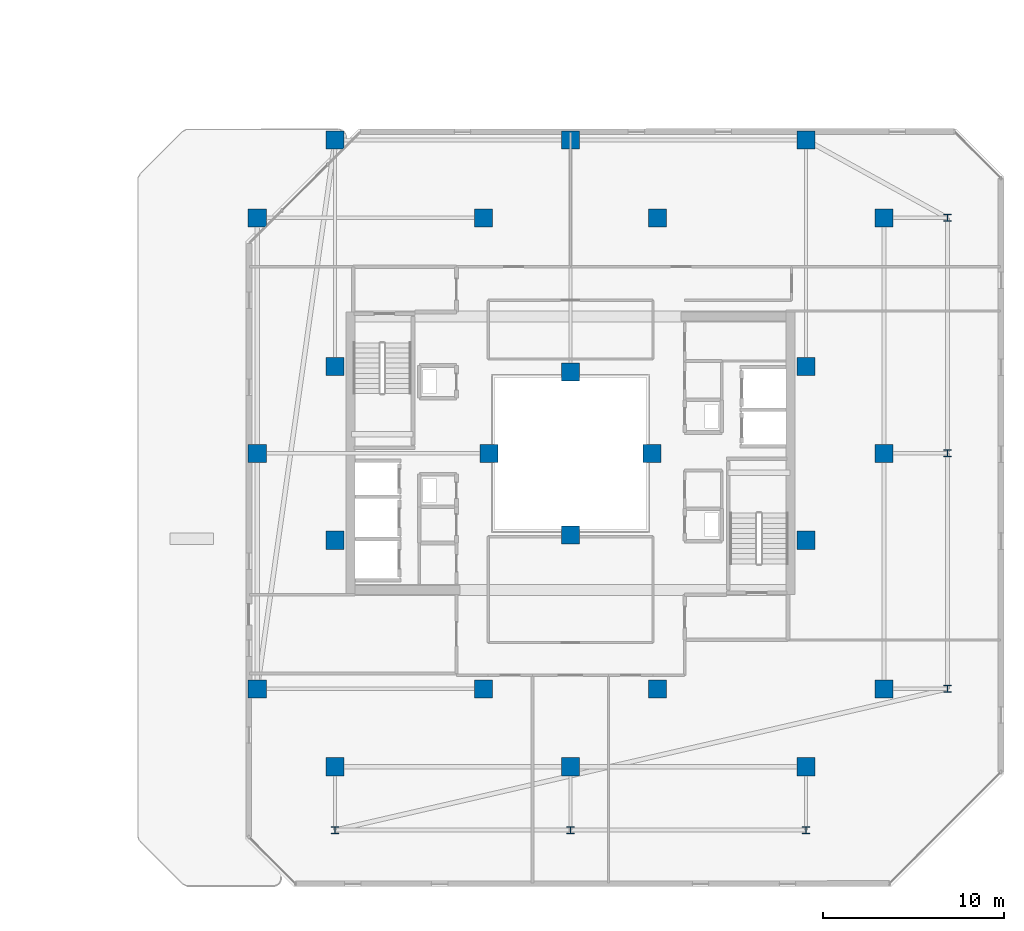
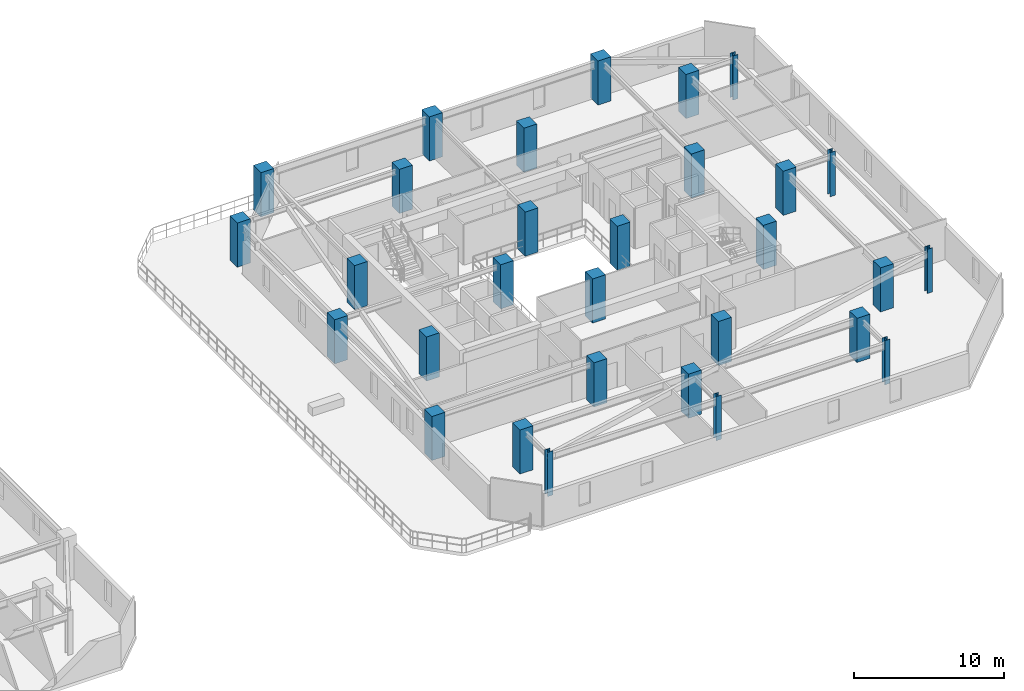
# One storey, part 2 of 29: 30 columns.
"""IFC4 building model written with IfcOpenShell, lengths in metres."""

from ifc_helpers import new_model, si_unit, direction, frame, origin, origin_2d, place, context, subcontext, project, spatial, rectangle, i_section, extrude, material, material_profile, profile_set, type_object, element, save


model = new_model("IFC4")

# Units and contexts
model_context = context("Model", 3, precision=1e-05, world=origin(), true_north=direction((0.0, 1.0)))
body_context = subcontext(model_context, "Body", "Model", "MODEL_VIEW")
ifc_project = project(units=[si_unit("LENGTHUNIT", "METRE"), si_unit("AREAUNIT", "SQUARE_METRE"), si_unit("VOLUMEUNIT", "CUBIC_METRE"), si_unit("PLANEANGLEUNIT", "RADIAN"), si_unit("MASSUNIT", "GRAM", prefix="KILO")], contexts=[model_context])

# Site, building, storey
site_placement = place(None, origin())
site = spatial("IfcSite", under=ifc_project, at=site_placement, CompositionType="ELEMENT")
building_placement = place(site_placement, origin())
building = spatial("IfcBuilding", under=site, at=building_placement, Name="Thornwick Lancets Civic Towers", CompositionType="ELEMENT")
storey_placement = place(building_placement, frame((0.0, 0.0, 229.5)))
storey = spatial("IfcBuildingStorey", under=building, at=storey_placement, Name="L61", CompositionType="ELEMENT", Elevation=229.5)

# Columns
ifc_material_1 = material(Name="Concrete C50/60", Category="concrete")
ifc_material_profile_1 = material_profile(ifc_material_1, rectangle(XDim=1.0, YDim=1.0, at=origin_2d()), Name="RC 1000x1000")
ifc_profile_set_1 = profile_set([ifc_material_profile_1], Name="Concrete C50/60")
column_type_1 = type_object("IfcColumnType", Name="COL_RC_1000", PredefinedType="COLUMN", material=ifc_profile_set_1)
for number, where, z_axis, x_axis, name in (
    (1, (105.800048828125, 14.0, 0.0), (0.0, 0.0, 1.0), (1.0, 0.0, 0.0), "L61 Spine Mega-Column B01"),
    (2, (105.800048828125, 27.0, 0.0), (0.0, 0.0, 1.0), (1.0, 0.0, 0.0), "L61 Spine Mega-Column B02"),
    (3, (105.800048828125, 40.0, 0.0), (0.0, 0.0, 1.0), (1.0, 0.0, 0.0), "L61 Spine Mega-Column B03"),
    (4, (101.5, 44.300048828125, 0.0), (0.0, 0.0, 1.0), (1.0, 0.0, 0.0), "L61 Spine Mega-Column B04"),
    (5, (88.5, 44.300048828125, 0.0), (0.0, 0.0, 1.0), (1.0, 0.0, 0.0), "L61 Spine Mega-Column B05"),
    (6, (75.5, 44.300048828125, 0.0), (0.0, 0.0, 1.0), (1.0, 0.0, 0.0), "L61 Spine Mega-Column B06"),
    (7, (71.199951171875, 14.0, 0.0), (0.0, 0.0, 1.0), (1.0, 0.0, 0.0), "L61 Spine Mega-Column B07"),
    (8, (71.199951171875, 27.0, 0.0), (0.0, 0.0, 1.0), (1.0, 0.0, 0.0), "L61 Spine Mega-Column B08"),
    (9, (71.199951171875, 40.0, 0.0), (0.0, 0.0, 1.0), (1.0, 0.0, 0.0), "L61 Spine Mega-Column B09"),
    (10, (101.5, 9.699951171875, 0.0), (0.0, 0.0, 1.0), (1.0, 0.0, 0.0), "L61 Spine Mega-Column B10"),
    (11, (88.5, 9.699951171875, 0.0), (0.0, 0.0, 1.0), (1.0, 0.0, 0.0), "L61 Spine Mega-Column B11"),
    (12, (75.5, 9.699951171875, 0.0), (0.0, 0.0, 1.0), (1.0, 0.0, 0.0), "L61 Spine Mega-Column B12"),
    (13, (93.300048828125, 14.0, 0.0), (0.0, 0.0, 1.0), (1.0, 0.0, 0.0), "L61 Spine Mega-Column B13"),
    (14, (93.300048828125, 40.0, 0.0), (0.0, 0.0, 1.0), (1.0, 0.0, 0.0), "L61 Spine Mega-Column B14"),
    (15, (83.699951171875, 14.0, 0.0), (0.0, 0.0, 1.0), (1.0, 0.0, 0.0), "L61 Spine Mega-Column B15"),
    (16, (83.699951171875, 40.0, 0.0), (0.0, 0.0, 1.0), (1.0, 0.0, 0.0), "L61 Spine Mega-Column B16"),
    (17, (101.5, 22.199951171875, 0.0), (0.0, 0.0, 1.0), (1.0, 0.0, 0.0), "L61 Spine Mega-Column B17"),
    (18, (101.5, 31.800048828125, 0.0), (0.0, 0.0, 1.0), (1.0, 0.0, 0.0), "L61 Spine Mega-Column B18"),
    (19, (75.5, 22.199951171875, 0.0), (0.0, 0.0, 1.0), (1.0, 0.0, 0.0), "L61 Spine Mega-Column B19"),
    (20, (75.5, 31.800048828125, 0.0), (0.0, 0.0, 1.0), (1.0, 0.0, 0.0), "L61 Spine Mega-Column B20"),
    (21, (93.0, 27.0, 0.0), (0.0, 0.0, 1.0), (1.0, 0.0, 0.0), "L61 Spine Mega-Column B21"),
    (22, (84.0, 27.0, 0.0), (0.0, 0.0, 1.0), (1.0, 0.0, 0.0), "L61 Spine Mega-Column B22"),
    (23, (88.5, 22.5, 0.0), (0.0, 0.0, 1.0), (1.0, 0.0, 0.0), "L61 Spine Mega-Column B23"),
    (24, (88.5, 31.5, 0.0), (0.0, 0.0, 1.0), (1.0, 0.0, 0.0), "L61 Spine Mega-Column B24"),
):
    element("IfcColumn", number, at=place(storey_placement, frame(where, z_axis=z_axis, x_axis=x_axis)), inside=storey, type_object=column_type_1, Name=name, PredefinedType="COLUMN", context=body_context, shape_type="SweptSolid", body=[
        extrude(rectangle(XDim=1.0, YDim=1.0, at=origin_2d()), origin(), (0.0, 0.0, 1.0), 3.60009765625),
    ])
ifc_material_2 = material(Name="Steel S355JR", Category="steel")
ifc_material_profile_2 = material_profile(ifc_material_2, i_section(OverallWidth=0.39892578125, OverallDepth=0.3935546875, WebThickness=0.022705078125, FlangeThickness=0.03662109375, FilletRadius=0.01513671875, at=origin_2d()), Name="UKC 356x406x287")
ifc_profile_set_2 = profile_set([ifc_material_profile_2], Name="Steel S355JR")
column_type_2 = type_object("IfcColumnType", Name="COL_UKC_287", PredefinedType="COLUMN", material=ifc_profile_set_2)
for number, where, z_axis, x_axis, name in (
    (25, (109.300048828125, 14.0, 0.0), (0.0, 0.0, 1.0), (1.0, 0.0, 0.0), "L61 Block Perimeter Column B01"),
    (26, (109.300048828125, 27.0, 0.0), (0.0, 0.0, 1.0), (1.0, 0.0, 0.0), "L61 Block Perimeter Column B02"),
    (27, (109.300048828125, 40.0, 0.0), (0.0, 0.0, 1.0), (1.0, 0.0, 0.0), "L61 Block Perimeter Column B03"),
    (28, (101.5, 6.199951171875, 0.0), (0.0, 0.0, 1.0), (1.0, 0.0, 0.0), "L61 Block Perimeter Column B10"),
    (29, (88.5, 6.199951171875, 0.0), (0.0, 0.0, 1.0), (1.0, 0.0, 0.0), "L61 Block Perimeter Column B11"),
    (30, (75.5, 6.199951171875, 0.0), (0.0, 0.0, 1.0), (1.0, 0.0, 0.0), "L61 Block Perimeter Column B12"),
):
    element("IfcColumn", number, at=place(storey_placement, frame(where, z_axis=z_axis, x_axis=x_axis)), inside=storey, type_object=column_type_2, Name=name, PredefinedType="COLUMN", context=body_context, shape_type="SweptSolid", body=[
        extrude(i_section(OverallWidth=0.39892578125, OverallDepth=0.3935546875, WebThickness=0.022705078125, FlangeThickness=0.03662109375, FilletRadius=0.01513671875, at=origin_2d()), origin(), (0.0, 0.0, 1.0), 3.60009765625),
    ])

save(model, "model.ifc")
